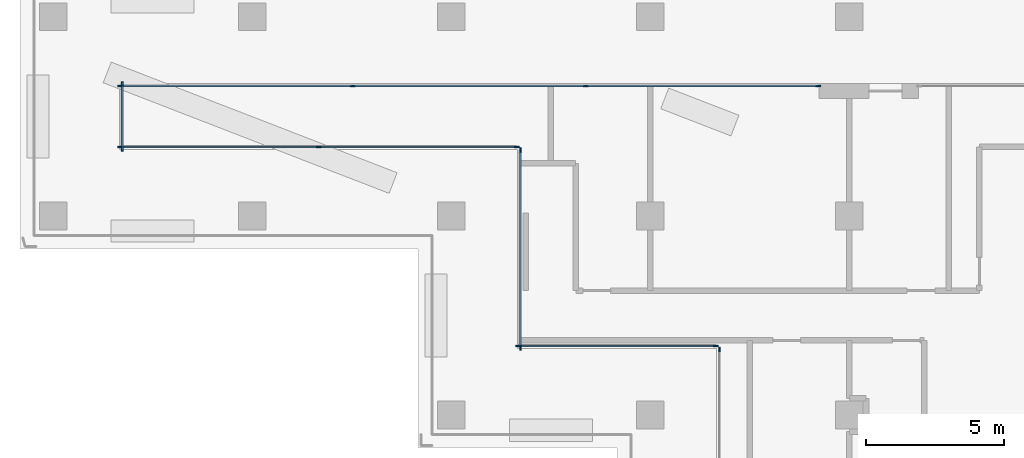
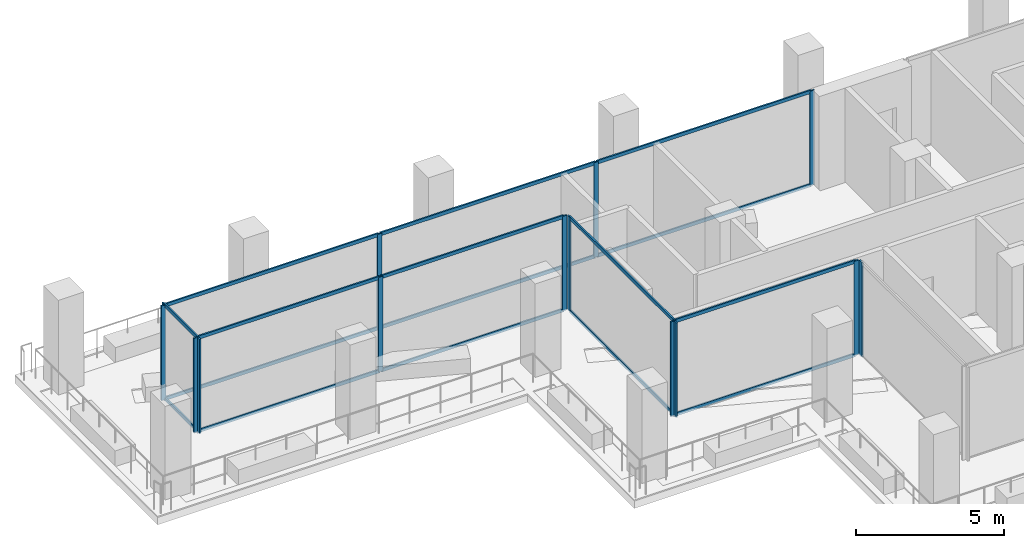
# One storey, part 5 of 21: 30 members, 6 elements without a shape of their own.
"""IFC4 building model written with IfcOpenShell, lengths in metres."""

from ifc_helpers import new_model, si_unit, direction, frame, origin, origin_2d, place, context, subcontext, project, spatial, rectangle, extrude, material, material_profile, profile_set, type_object, element, aggregate, save


model = new_model("IFC4")

# Units and contexts
model_context = context("Model", 3, precision=1e-05, world=origin(), true_north=direction((0.0, 1.0)))
body_context = subcontext(model_context, "Body", "Model", "MODEL_VIEW")
ifc_project = project(units=[si_unit("LENGTHUNIT", "METRE"), si_unit("AREAUNIT", "SQUARE_METRE"), si_unit("VOLUMEUNIT", "CUBIC_METRE"), si_unit("PLANEANGLEUNIT", "RADIAN"), si_unit("MASSUNIT", "GRAM", prefix="KILO")], contexts=[model_context])

# Site, building, storey
site_placement = place(None, origin())
site = spatial("IfcSite", under=ifc_project, at=site_placement, CompositionType="ELEMENT")
building_placement = place(site_placement, origin())
building = spatial("IfcBuilding", under=site, at=building_placement, Name="Windrow Commons", CompositionType="ELEMENT")
storey_placement = place(building_placement, frame((0.0, 0.0, 131.2)))
storey = spatial("IfcBuildingStorey", under=building, at=storey_placement, Name="L35", CompositionType="ELEMENT", Elevation=131.2)

# Curtain wall, members
ifc_material_1 = material(Name="Clear laminated glass in Aluminium 6063-T6 anodised frame", Category="aluminium")
curtain_wall_type = type_object("IfcCurtainWallType", Name="Curtain wall CW2M sky lounge mid", PredefinedType="USERDEFINED", material=ifc_material_1)
placement = place(storey_placement, origin())
curtain_wall_1 = element("IfcCurtainWall", 1, at=placement, inside=storey, type_object=curtain_wall_type, Name="Curtain wall CW2M L35 4.2", ObjectType="UNITISED", PredefinedType="USERDEFINED")
ifc_material_2 = material(Name="Aluminium 6063-T6", Category="aluminium")
ifc_material_profile_1 = material_profile(ifc_material_2, rectangle(XDim=0.06, YDim=0.18, at=origin_2d()))
ifc_profile_set_1 = profile_set([ifc_material_profile_1], Name="Aluminium 6063-T6")
member_type_1 = type_object("IfcMemberType", Name="CW2M mullion 60x180", PredefinedType="MULLION", material=ifc_profile_set_1)
member_1_placement = place(storey_placement, frame((49.2729, 69.5, 0.0), z_axis=(0.0, 0.0, 1.0), x_axis=(0.0, -1.0, 0.0)))
member_1 = element("IfcMember", 2, at=member_1_placement, type_object=member_type_1, Name="CW2M mullion 1", PredefinedType="MULLION", context=body_context, shape_type="SweptSolid", body=[
    extrude(rectangle(XDim=0.06, YDim=0.18, at=origin_2d()), origin(), (0.0, 0.0, 1.0), 3.9),
])
member_2_placement = place(storey_placement, frame((40.8686, 69.5, 0.0), z_axis=(0.0, 0.0, 1.0), x_axis=(0.0, -1.0, 0.0)))
member_2 = element("IfcMember", 3, at=member_2_placement, type_object=member_type_1, Name="CW2M mullion 2", PredefinedType="MULLION", context=body_context, shape_type="SweptSolid", body=[
    extrude(rectangle(XDim=0.06, YDim=0.18, at=origin_2d()), origin(), (0.0, 0.0, 1.0), 3.9),
])
member_3_placement = place(storey_placement, frame((32.4343, 69.5, 0.0), z_axis=(0.0, 0.0, 1.0), x_axis=(0.0, -1.0, 0.0)))
member_3 = element("IfcMember", 4, at=member_3_placement, type_object=member_type_1, Name="CW2M mullion 3", PredefinedType="MULLION", context=body_context, shape_type="SweptSolid", body=[
    extrude(rectangle(XDim=0.06, YDim=0.18, at=origin_2d()), origin(), (0.0, 0.0, 1.0), 3.9),
])
member_4_placement = place(storey_placement, frame((24.03, 69.5, 0.0), z_axis=(0.0, 0.0, 1.0), x_axis=(0.0, -1.0, 0.0)))
member_4 = element("IfcMember", 5, at=member_4_placement, type_object=member_type_1, Name="CW2M mullion 4", PredefinedType="MULLION", context=body_context, shape_type="SweptSolid", body=[
    extrude(rectangle(XDim=0.06, YDim=0.18, at=origin_2d()), origin(), (0.0, 0.0, 1.0), 3.9),
])

curtain_wall_2 = element("IfcCurtainWall", 6, at=placement, inside=storey, type_object=curtain_wall_type, Name="Curtain wall CW2M L35 5", ObjectType="UNITISED", PredefinedType="USERDEFINED")
member_5_placement = place(storey_placement, frame((24.1, 69.57, 0.0), z_axis=(0.0, 0.0, 1.0), x_axis=(1.0, 0.0, 0.0)))
member_5 = element("IfcMember", 7, at=member_5_placement, type_object=member_type_1, Name="CW2M mullion 1", PredefinedType="MULLION", context=body_context, shape_type="SweptSolid", body=[
    extrude(rectangle(XDim=0.06, YDim=0.18, at=origin_2d()), origin(), (0.0, 0.0, 1.0), 3.9),
])
member_6_placement = place(storey_placement, frame((24.1, 67.23, 0.0), z_axis=(0.0, 0.0, 1.0), x_axis=(1.0, 0.0, 0.0)))
member_6 = element("IfcMember", 8, at=member_6_placement, type_object=member_type_1, Name="CW2M mullion 2", PredefinedType="MULLION", context=body_context, shape_type="SweptSolid", body=[
    extrude(rectangle(XDim=0.06, YDim=0.18, at=origin_2d()), origin(), (0.0, 0.0, 1.0), 3.9),
])

curtain_wall_3 = element("IfcCurtainWall", 9, at=placement, inside=storey, type_object=curtain_wall_type, Name="Curtain wall CW2M L35 6", ObjectType="UNITISED", PredefinedType="USERDEFINED")
member_7_placement = place(storey_placement, frame((24.03, 67.3, 0.0), z_axis=(0.0, 0.0, 1.0), x_axis=(0.0, 1.0, 0.0)))
member_7 = element("IfcMember", 10, at=member_7_placement, type_object=member_type_1, Name="CW2M mullion 1", PredefinedType="MULLION", context=body_context, shape_type="SweptSolid", body=[
    extrude(rectangle(XDim=0.06, YDim=0.18, at=origin_2d()), origin(), (0.0, 0.0, 1.0), 3.9),
])
member_8_placement = place(storey_placement, frame((31.2, 67.3, 0.0), z_axis=(0.0, 0.0, 1.0), x_axis=(0.0, 1.0, 0.0)))
member_8 = element("IfcMember", 11, at=member_8_placement, type_object=member_type_1, Name="CW2M mullion 2", PredefinedType="MULLION", context=body_context, shape_type="SweptSolid", body=[
    extrude(rectangle(XDim=0.06, YDim=0.18, at=origin_2d()), origin(), (0.0, 0.0, 1.0), 3.9),
])
member_9_placement = place(storey_placement, frame((38.37, 67.3, 0.0), z_axis=(0.0, 0.0, 1.0), x_axis=(0.0, 1.0, 0.0)))
member_9 = element("IfcMember", 12, at=member_9_placement, type_object=member_type_1, Name="CW2M mullion 3", PredefinedType="MULLION", context=body_context, shape_type="SweptSolid", body=[
    extrude(rectangle(XDim=0.06, YDim=0.18, at=origin_2d()), origin(), (0.0, 0.0, 1.0), 3.9),
])

curtain_wall_4 = element("IfcCurtainWall", 13, at=placement, inside=storey, type_object=curtain_wall_type, Name="Curtain wall CW2M L35 7", ObjectType="UNITISED", PredefinedType="USERDEFINED")
member_10_placement = place(storey_placement, frame((38.5, 67.17, 0.0), z_axis=(0.0, 0.0, 1.0), x_axis=(1.0, 0.0, 0.0)))
member_10 = element("IfcMember", 14, at=member_10_placement, type_object=member_type_1, Name="CW2M mullion 1", PredefinedType="MULLION", context=body_context, shape_type="SweptSolid", body=[
    extrude(rectangle(XDim=0.06, YDim=0.18, at=origin_2d()), origin(), (0.0, 0.0, 1.0), 3.9),
])
member_11_placement = place(storey_placement, frame((38.5, 60.03, 0.0), z_axis=(0.0, 0.0, 1.0), x_axis=(1.0, 0.0, 0.0)))
member_11 = element("IfcMember", 15, at=member_11_placement, type_object=member_type_1, Name="CW2M mullion 2", PredefinedType="MULLION", context=body_context, shape_type="SweptSolid", body=[
    extrude(rectangle(XDim=0.06, YDim=0.18, at=origin_2d()), origin(), (0.0, 0.0, 1.0), 3.9),
])

curtain_wall_5 = element("IfcCurtainWall", 16, at=placement, inside=storey, type_object=curtain_wall_type, Name="Curtain wall CW2M L35 8", ObjectType="UNITISED", PredefinedType="USERDEFINED")
member_12_placement = place(storey_placement, frame((38.43, 60.1, 0.0), z_axis=(0.0, 0.0, 1.0), x_axis=(0.0, 1.0, 0.0)))
member_12 = element("IfcMember", 17, at=member_12_placement, type_object=member_type_1, Name="CW2M mullion 1", PredefinedType="MULLION", context=body_context, shape_type="SweptSolid", body=[
    extrude(rectangle(XDim=0.06, YDim=0.18, at=origin_2d()), origin(), (0.0, 0.0, 1.0), 3.9),
])
member_13_placement = place(storey_placement, frame((45.57, 60.1, 0.0), z_axis=(0.0, 0.0, 1.0), x_axis=(0.0, 1.0, 0.0)))
member_13 = element("IfcMember", 18, at=member_13_placement, type_object=member_type_1, Name="CW2M mullion 2", PredefinedType="MULLION", context=body_context, shape_type="SweptSolid", body=[
    extrude(rectangle(XDim=0.06, YDim=0.18, at=origin_2d()), origin(), (0.0, 0.0, 1.0), 3.9),
])

# Curtain wall, member
curtain_wall_6 = element("IfcCurtainWall", 19, at=placement, inside=storey, type_object=curtain_wall_type, Name="Curtain wall CW2M L35 9", ObjectType="UNITISED", PredefinedType="USERDEFINED")
member_14_placement = place(storey_placement, frame((45.7, 59.97, 0.0), z_axis=(0.0, 0.0, 1.0), x_axis=(1.0, 0.0, 0.0)))
member_14 = element("IfcMember", 20, at=member_14_placement, type_object=member_type_1, Name="CW2M mullion 1", PredefinedType="MULLION", context=body_context, shape_type="SweptSolid", body=[
    extrude(rectangle(XDim=0.06, YDim=0.18, at=origin_2d()), origin(), (0.0, 0.0, 1.0), 3.9),
])
aggregate(curtain_wall_6, [member_14])

# Member
ifc_material_3 = material(Name="Aluminium 6063-T6", Category="aluminium")
ifc_material_profile_2 = material_profile(ifc_material_3, rectangle(XDim=0.06, YDim=0.14, at=origin_2d()))
ifc_profile_set_2 = profile_set([ifc_material_profile_2], Name="Aluminium 6063-T6")
member_type_2 = type_object("IfcMemberType", Name="CW2M transom 60x140", PredefinedType="USERDEFINED", material=ifc_profile_set_2)
member_15_placement = place(storey_placement, frame((49.2429, 69.5, 0.03), z_axis=(-1.0, 0.0, 0.0), x_axis=(0.0, -1.0, 0.0)))
member_15 = element("IfcMember", 21, at=member_15_placement, type_object=member_type_2, Name="CW2M transom 1.1", ObjectType="TRANSOM", PredefinedType="USERDEFINED", context=body_context, shape_type="SweptSolid", body=[
    extrude(rectangle(XDim=0.06, YDim=0.14, at=origin_2d()), origin(), (0.0, 0.0, 1.0), 8.3443),
])

member_16_placement = place(storey_placement, frame((49.2429, 69.5, 3.87), z_axis=(-1.0, 0.0, 0.0), x_axis=(0.0, -1.0, 0.0)))
member_16 = element("IfcMember", 22, at=member_16_placement, type_object=member_type_2, Name="CW2M transom 1.2", ObjectType="TRANSOM", PredefinedType="USERDEFINED", context=body_context, shape_type="SweptSolid", body=[
    extrude(rectangle(XDim=0.06, YDim=0.14, at=origin_2d()), origin(), (0.0, 0.0, 1.0), 8.3443),
])

member_17_placement = place(storey_placement, frame((40.8386, 69.5, 0.03), z_axis=(-1.0, 0.0, 0.0), x_axis=(0.0, -1.0, 0.0)))
member_17 = element("IfcMember", 23, at=member_17_placement, type_object=member_type_2, Name="CW2M transom 2.1", ObjectType="TRANSOM", PredefinedType="USERDEFINED", context=body_context, shape_type="SweptSolid", body=[
    extrude(rectangle(XDim=0.06, YDim=0.14, at=origin_2d()), origin(), (0.0, 0.0, 1.0), 8.3743),
])

member_18_placement = place(storey_placement, frame((40.8386, 69.5, 3.87), z_axis=(-1.0, 0.0, 0.0), x_axis=(0.0, -1.0, 0.0)))
member_18 = element("IfcMember", 24, at=member_18_placement, type_object=member_type_2, Name="CW2M transom 2.2", ObjectType="TRANSOM", PredefinedType="USERDEFINED", context=body_context, shape_type="SweptSolid", body=[
    extrude(rectangle(XDim=0.06, YDim=0.14, at=origin_2d()), origin(), (0.0, 0.0, 1.0), 8.3743),
])

member_19_placement = place(storey_placement, frame((32.4043, 69.5, 0.03), z_axis=(-1.0, 0.0, 0.0), x_axis=(0.0, -1.0, 0.0)))
member_19 = element("IfcMember", 25, at=member_19_placement, type_object=member_type_2, Name="CW2M transom 3.1", ObjectType="TRANSOM", PredefinedType="USERDEFINED", context=body_context, shape_type="SweptSolid", body=[
    extrude(rectangle(XDim=0.06, YDim=0.14, at=origin_2d()), origin(), (0.0, 0.0, 1.0), 8.3443),
])

member_20_placement = place(storey_placement, frame((32.4043, 69.5, 3.87), z_axis=(-1.0, 0.0, 0.0), x_axis=(0.0, -1.0, 0.0)))
member_20 = element("IfcMember", 26, at=member_20_placement, type_object=member_type_2, Name="CW2M transom 3.2", ObjectType="TRANSOM", PredefinedType="USERDEFINED", context=body_context, shape_type="SweptSolid", body=[
    extrude(rectangle(XDim=0.06, YDim=0.14, at=origin_2d()), origin(), (0.0, 0.0, 1.0), 8.3443),
])

aggregate(curtain_wall_1, [member_1, member_2, member_3, member_4, member_15, member_16, member_17, member_18, member_19, member_20])

member_21_placement = place(storey_placement, frame((24.1, 69.54, 0.03), z_axis=(0.0, -1.0, 0.0), x_axis=(1.0, 0.0, 0.0)))
member_21 = element("IfcMember", 27, at=member_21_placement, type_object=member_type_2, Name="CW2M transom 1.1", ObjectType="TRANSOM", PredefinedType="USERDEFINED", context=body_context, shape_type="SweptSolid", body=[
    extrude(rectangle(XDim=0.06, YDim=0.14, at=origin_2d()), origin(), (0.0, 0.0, 1.0), 2.28),
])

member_22_placement = place(storey_placement, frame((24.1, 69.54, 3.87), z_axis=(0.0, -1.0, 0.0), x_axis=(1.0, 0.0, 0.0)))
member_22 = element("IfcMember", 28, at=member_22_placement, type_object=member_type_2, Name="CW2M transom 1.2", ObjectType="TRANSOM", PredefinedType="USERDEFINED", context=body_context, shape_type="SweptSolid", body=[
    extrude(rectangle(XDim=0.06, YDim=0.14, at=origin_2d()), origin(), (0.0, 0.0, 1.0), 2.28),
])

aggregate(curtain_wall_2, [member_5, member_6, member_21, member_22])

member_23_placement = place(storey_placement, frame((24.06, 67.3, 0.03), z_axis=(1.0, 0.0, 0.0), x_axis=(0.0, 1.0, 0.0)))
member_23 = element("IfcMember", 29, at=member_23_placement, type_object=member_type_2, Name="CW2M transom 1.1", ObjectType="TRANSOM", PredefinedType="USERDEFINED", context=body_context, shape_type="SweptSolid", body=[
    extrude(rectangle(XDim=0.06, YDim=0.14, at=origin_2d()), origin(), (0.0, 0.0, 1.0), 7.11),
])

member_24_placement = place(storey_placement, frame((24.06, 67.3, 3.87), z_axis=(1.0, 0.0, 0.0), x_axis=(0.0, 1.0, 0.0)))
member_24 = element("IfcMember", 30, at=member_24_placement, type_object=member_type_2, Name="CW2M transom 1.2", ObjectType="TRANSOM", PredefinedType="USERDEFINED", context=body_context, shape_type="SweptSolid", body=[
    extrude(rectangle(XDim=0.06, YDim=0.14, at=origin_2d()), origin(), (0.0, 0.0, 1.0), 7.11),
])

member_25_placement = place(storey_placement, frame((31.23, 67.3, 0.03), z_axis=(1.0, 0.0, 0.0), x_axis=(0.0, 1.0, 0.0)))
member_25 = element("IfcMember", 31, at=member_25_placement, type_object=member_type_2, Name="CW2M transom 2.1", ObjectType="TRANSOM", PredefinedType="USERDEFINED", context=body_context, shape_type="SweptSolid", body=[
    extrude(rectangle(XDim=0.06, YDim=0.14, at=origin_2d()), origin(), (0.0, 0.0, 1.0), 7.11),
])

member_26_placement = place(storey_placement, frame((31.23, 67.3, 3.87), z_axis=(1.0, 0.0, 0.0), x_axis=(0.0, 1.0, 0.0)))
member_26 = element("IfcMember", 32, at=member_26_placement, type_object=member_type_2, Name="CW2M transom 2.2", ObjectType="TRANSOM", PredefinedType="USERDEFINED", context=body_context, shape_type="SweptSolid", body=[
    extrude(rectangle(XDim=0.06, YDim=0.14, at=origin_2d()), origin(), (0.0, 0.0, 1.0), 7.11),
])

aggregate(curtain_wall_3, [member_7, member_8, member_9, member_23, member_24, member_25, member_26])

member_27_placement = place(storey_placement, frame((38.5, 67.14, 0.03), z_axis=(0.0, -1.0, 0.0), x_axis=(1.0, 0.0, 0.0)))
member_27 = element("IfcMember", 33, at=member_27_placement, type_object=member_type_2, Name="CW2M transom 1.1", ObjectType="TRANSOM", PredefinedType="USERDEFINED", context=body_context, shape_type="SweptSolid", body=[
    extrude(rectangle(XDim=0.06, YDim=0.14, at=origin_2d()), origin(), (0.0, 0.0, 1.0), 7.08),
])

member_28_placement = place(storey_placement, frame((38.5, 67.14, 3.87), z_axis=(0.0, -1.0, 0.0), x_axis=(1.0, 0.0, 0.0)))
member_28 = element("IfcMember", 34, at=member_28_placement, type_object=member_type_2, Name="CW2M transom 1.2", ObjectType="TRANSOM", PredefinedType="USERDEFINED", context=body_context, shape_type="SweptSolid", body=[
    extrude(rectangle(XDim=0.06, YDim=0.14, at=origin_2d()), origin(), (0.0, 0.0, 1.0), 7.08),
])

aggregate(curtain_wall_4, [member_10, member_11, member_27, member_28])

member_29_placement = place(storey_placement, frame((38.46, 60.1, 0.03), z_axis=(1.0, 0.0, 0.0), x_axis=(0.0, 1.0, 0.0)))
member_29 = element("IfcMember", 35, at=member_29_placement, type_object=member_type_2, Name="CW2M transom 1.1", ObjectType="TRANSOM", PredefinedType="USERDEFINED", context=body_context, shape_type="SweptSolid", body=[
    extrude(rectangle(XDim=0.06, YDim=0.14, at=origin_2d()), origin(), (0.0, 0.0, 1.0), 7.08),
])

member_30_placement = place(storey_placement, frame((38.46, 60.1, 3.87), z_axis=(1.0, 0.0, 0.0), x_axis=(0.0, 1.0, 0.0)))
member_30 = element("IfcMember", 36, at=member_30_placement, type_object=member_type_2, Name="CW2M transom 1.2", ObjectType="TRANSOM", PredefinedType="USERDEFINED", context=body_context, shape_type="SweptSolid", body=[
    extrude(rectangle(XDim=0.06, YDim=0.14, at=origin_2d()), origin(), (0.0, 0.0, 1.0), 7.08),
])

aggregate(curtain_wall_5, [member_12, member_13, member_29, member_30])

save(model, "model.ifc")
